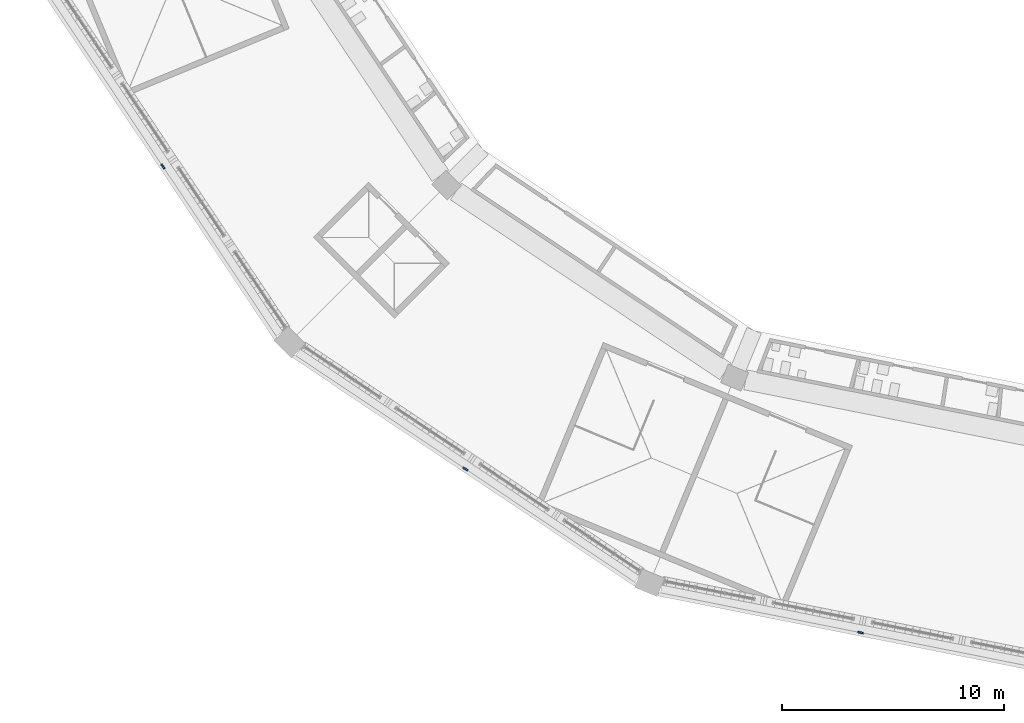
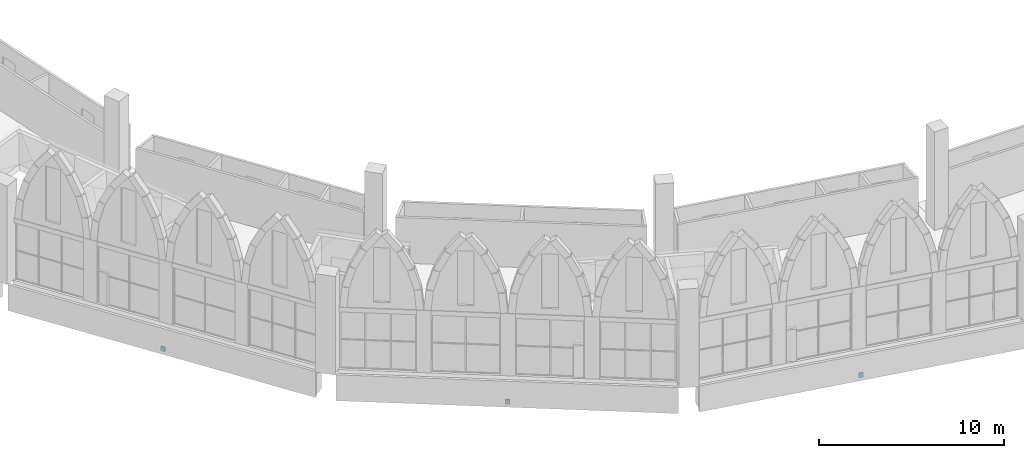
# One storey, part 88 of 130: 3 discrete accessories.
"""IFC4 building model written with IfcOpenShell, lengths in metres."""

import ifcopenshell
import ifcopenshell.guid

model = None  # the IFC model being written
_history = None  # IfcOwnerHistory: only IFC2X3 demands one
_inside = {}  # id of a spatial element -> (the spatial element, [elements in it])
_under = {}  # id of a project, library or spatial element -> (it, [spatial elements below it])
_declared = {}  # id of a project -> (the project, [libraries it declares])
_typed = {}  # id of a type object -> (the type object, [elements of that type])
_made_of = {}  # id of a material, layer set ... -> (it, [elements and type objects made of it])


def new_model(schema):
    """Start an empty IFC model of exactly this schema.

    Asked for "IFC4X3", IfcOpenShell would pick the latest addendum, in which some entities
    have other attributes; the version numbers below select the first issue.
    IFC2X3 requires an IfcOwnerHistory on every rooted entity: one is made here for all.
    """
    global model, _history
    if schema == "IFC4X3":
        model = ifcopenshell.file(schema_version=(4, 3, 0, 0))
    else:
        model = ifcopenshell.file(schema=schema)
    _inside.clear()
    _under.clear()
    _declared.clear()
    _typed.clear()
    _made_of.clear()
    _history = None
    if model.schema == "IFC2X3":
        org = make("IfcOrganization", Name="unknown")
        user = make(
            "IfcPersonAndOrganization",
            ThePerson=make("IfcPerson", FamilyName="unknown"),
            TheOrganization=org,
        )
        app = make(
            "IfcApplication",
            ApplicationDeveloper=org,
            Version="unknown",
            ApplicationFullName="unknown",
            ApplicationIdentifier="unknown",
        )
        _history = make(
            "IfcOwnerHistory",
            OwningUser=user,
            OwningApplication=app,
            ChangeAction="ADDED",
            CreationDate=0,
        )
    return model


def make(cls, **values):
    """One entity of the class cls with the attributes given. An attribute that is None is left unset."""
    return model.create_entity(
        cls, **{name: value for name, value in values.items() if value is not None}
    )


def rooted(cls, **values):
    """An entity with a GlobalId (a new one), such as an element, a storey or a relation."""
    return make(cls, GlobalId=ifcopenshell.guid.new(), OwnerHistory=_history, **values)


def si_unit(unit_type, name, prefix=None):
    """IfcSIUnit, for example si_unit("LENGTHUNIT", "METRE", prefix="MILLI")."""
    return make("IfcSIUnit", UnitType=unit_type, Prefix=prefix, Name=name)


def assignment(units):
    """IfcUnitAssignment: the units of a project."""
    return None if units is None else make("IfcUnitAssignment", Units=units)


def point(xyz):
    """IfcCartesianPoint."""
    return None if xyz is None else make("IfcCartesianPoint", Coordinates=xyz)


def direction(xyz):
    """IfcDirection."""
    return None if xyz is None else make("IfcDirection", DirectionRatios=xyz)


def frame(location, z_axis=None, x_axis=None):
    """IfcAxis2Placement3D, a coordinate frame: its origin and axes. An axis left out is left unset."""
    return make(
        "IfcAxis2Placement3D",
        Location=point(location),
        Axis=direction(z_axis),
        RefDirection=direction(x_axis),
    )


def frame_2d(location, x_axis=None):
    """IfcAxis2Placement2D, a coordinate frame in the plane: its origin and x axis."""
    return make(
        "IfcAxis2Placement2D", Location=point(location), RefDirection=direction(x_axis)
    )


def origin():
    """The frame at (0, 0, 0) with its axes left unset."""
    return frame((0.0, 0.0, 0.0))


def origin_2d():
    """The frame at (0, 0) in the plane with its x axis left unset."""
    return frame_2d((0.0, 0.0))


def place(relative_to, where):
    """IfcLocalPlacement: puts the frame where relative to a parent placement (None: the world)."""
    return make(
        "IfcLocalPlacement", PlacementRelTo=relative_to, RelativePlacement=where
    )


def context(
    kind, dimensions, precision=None, world=None, true_north=None, identifier=None
):
    """IfcGeometricRepresentationContext, for example the 3D "Model" context."""
    return make(
        "IfcGeometricRepresentationContext",
        ContextIdentifier=identifier,
        ContextType=kind,
        CoordinateSpaceDimension=dimensions,
        Precision=precision,
        WorldCoordinateSystem=world,
        TrueNorth=true_north,
    )


def subcontext(parent, identifier, kind, view, scale=None):
    """IfcGeometricRepresentationSubContext, for example "Body" below "Model"."""
    return make(
        "IfcGeometricRepresentationSubContext",
        ContextIdentifier=identifier,
        ContextType=kind,
        ParentContext=parent,
        TargetScale=scale,
        TargetView=view,
    )


def project(units=None, contexts=None):
    """IfcProject with its units and contexts."""
    return rooted(
        "IfcProject",
        Name="project",
        RepresentationContexts=contexts,
        UnitsInContext=assignment(units),
    )


def spatial(cls, under=None, at=None, **own):
    """A site, building, storey or space (cls), placed at a placement, below another one or the project."""
    s = rooted(cls, ObjectPlacement=at, **own)
    if under is not None:
        _under.setdefault(under.id(), (under, []))[1].append(s)
    return s


def profile(cls, at=None, kind="AREA", **sizes):
    """A parametric profile (cls). Its sizes go by their IFC names, for example OverallWidth=200.0."""
    return make(cls, ProfileType=kind, Position=at, **sizes)


def rectangle(**sizes):
    """IfcRectangleProfileDef."""
    return profile("IfcRectangleProfileDef", **sizes)


def extrude(swept, where, along, depth):
    """IfcExtrudedAreaSolid: the profile swept, set in the frame where, extruded along a direction by depth."""
    return make(
        "IfcExtrudedAreaSolid",
        SweptArea=swept,
        Position=where,
        ExtrudedDirection=direction(along),
        Depth=depth,
    )


def shape(context_of_items, identifier, shape_type, items):
    """IfcShapeRepresentation: the items that make up one representation, for example the "Body"."""
    return make(
        "IfcShapeRepresentation",
        ContextOfItems=context_of_items,
        RepresentationIdentifier=identifier,
        RepresentationType=shape_type,
        Items=items,
    )


def material(Name=None, Category=None):
    """IfcMaterial."""
    return make("IfcMaterial", Name=Name, Category=Category)


def layer(
    of_material, thickness, ventilated=None, Name=None, Category=None, Priority=None
):
    """IfcMaterialLayer: one layer of a wall or slab, of a material (None: an air gap)."""
    return make(
        "IfcMaterialLayer",
        Material=of_material,
        LayerThickness=thickness,
        IsVentilated=ventilated,
        Name=Name,
        Category=Category,
        Priority=Priority,
    )


def layer_set(layers, Name=None):
    """IfcMaterialLayerSet."""
    return make("IfcMaterialLayerSet", MaterialLayers=layers, LayerSetName=Name)


def made_of(thing, what):
    """Note that an element or type object is made of a material, layer set ...; save() writes the relation."""
    if what is not None:
        _made_of.setdefault(what.id(), (what, []))[1].append(thing)
    return thing


def type_object(cls, material=None, **own):
    """A type object (cls), such as IfcWallType, which elements share."""
    return made_of(rooted(cls, **own), material)


def element(
    cls,
    number,
    at=None,
    inside=None,
    cuts=None,
    type_object=None,
    material=None,
    context=None,
    identifier="Body",
    shape_type=None,
    held_by="IfcProductDefinitionShape",
    body=None,
    shapes=None,
    **own,
):
    """One element of the class cls, such as IfcWall. Its Tag is "e" and its number.

    at: its placement. inside: the storey or other place that contains it. cuts: it is an
    opening in that element (IfcRelVoidsElement). A single representation is given by context,
    identifier, shape_type and body (its items); several are given by shapes. held_by: the class
    of the entity that holds the representations. save() writes the other relations.
    """
    e = rooted(cls, Tag="e%d" % number, ObjectPlacement=at, **own)
    if body is not None:
        shapes = [shape(context, identifier, shape_type, body)]
    if shapes is not None:
        e.Representation = make(held_by, Representations=shapes)
    if inside is not None:
        _inside.setdefault(inside.id(), (inside, []))[1].append(e)
    if cuts is not None:
        rooted(
            "IfcRelVoidsElement", RelatingBuildingElement=cuts, RelatedOpeningElement=e
        )
    if type_object is not None:
        _typed.setdefault(type_object.id(), (type_object, []))[1].append(e)
    return made_of(e, material)


def aggregate(whole, parts):
    """IfcRelAggregates: a whole, such as a stair, and the parts it consists of."""
    return rooted("IfcRelAggregates", RelatingObject=whole, RelatedObjects=parts)


def save(model, path):
    """Write the relations noted so far, then the file.

    IfcRelAggregates (storeys below a building ...), IfcRelContainedInSpatialStructure (elements
    in a storey), IfcRelDefinesByType, IfcRelAssociatesMaterial and IfcRelDeclares: one each for
    every whole, place, type object, material and project.
    """
    for whole, parts in _under.values():
        aggregate(whole, parts)
    for where, things in _inside.values():
        rooted(
            "IfcRelContainedInSpatialStructure",
            RelatedElements=things,
            RelatingStructure=where,
        )
    for kind, things in _typed.values():
        rooted("IfcRelDefinesByType", RelatedObjects=things, RelatingType=kind)
    for what, things in _made_of.values():
        rooted("IfcRelAssociatesMaterial", RelatedObjects=things, RelatingMaterial=what)
    for by, libraries in _declared.values():
        rooted("IfcRelDeclares", RelatingContext=by, RelatedDefinitions=libraries)
    model.write(path)


model = new_model("IFC4")

# Units and contexts
model_context = context("Model", 3, precision=1e-05, world=origin(), true_north=direction((0.0, 1.0)))
body_context = subcontext(model_context, "Body", "Model", "MODEL_VIEW")
ifc_project = project(units=[si_unit("LENGTHUNIT", "METRE"), si_unit("AREAUNIT", "SQUARE_METRE"), si_unit("VOLUMEUNIT", "CUBIC_METRE"), si_unit("PLANEANGLEUNIT", "RADIAN"), si_unit("MASSUNIT", "GRAM", prefix="KILO")], contexts=[model_context])

# Site, building, storey
site_placement = place(None, origin())
site = spatial("IfcSite", under=ifc_project, at=site_placement, CompositionType="ELEMENT")
building_placement = place(site_placement, origin())
building = spatial("IfcBuilding", under=site, at=building_placement, Name="Ogive Plaza Stadium", CompositionType="ELEMENT")
storey_placement = place(building_placement, frame((0.0, 0.0, 22.5)))
storey = spatial("IfcBuildingStorey", under=building, at=storey_placement, Name="L05", CompositionType="ELEMENT", Elevation=22.5)

# Discrete accessories
ifc_material = material(Name="Steel ASTM A572 Grade 50", Category="steel")
ifc_layer = layer(ifc_material, 0.080078125)
ifc_layer_set = layer_set([ifc_layer], Name="Steel ASTM A572 Grade 50")
discrete_accessory_type = type_object("IfcDiscreteAccessoryType", Name="Spandrel cladding bracket 250x300", PredefinedType="BRACKET", material=ifc_layer_set)
for number, where, z_axis, x_axis, name in (
    (1, (-43.635498046875, -100.940185546875, -1.60986328125), (0.0, 0.0, 1.0), (-0.980785280413, 0.195090321965, 0.0), "SPANDREL BRACKET B17 L05"),
    (2, (-61.439208984375, -93.565673828125, -1.60986328125), (0.0, 0.0, 1.0), (-0.831469612312, 0.555570233005, 0.0), "SPANDREL BRACKET B18 L05"),
    (3, (-75.065673828125, -79.939208984375, -1.60986328125), (0.0, 0.0, 1.0), (-0.555570233005, 0.831469612312, 0.0), "SPANDREL BRACKET B19 L05"),
):
    element("IfcDiscreteAccessory", number, at=place(storey_placement, frame(where, z_axis=z_axis, x_axis=x_axis)), inside=storey, type_object=discrete_accessory_type, Name=name, PredefinedType="BRACKET", context=body_context, shape_type="SweptSolid", body=[
        extrude(rectangle(XDim=0.25, YDim=0.080078125, at=origin_2d()), origin(), (0.0, 0.0, 1.0), 0.300048828125),
    ])

save(model, "model.ifc")
